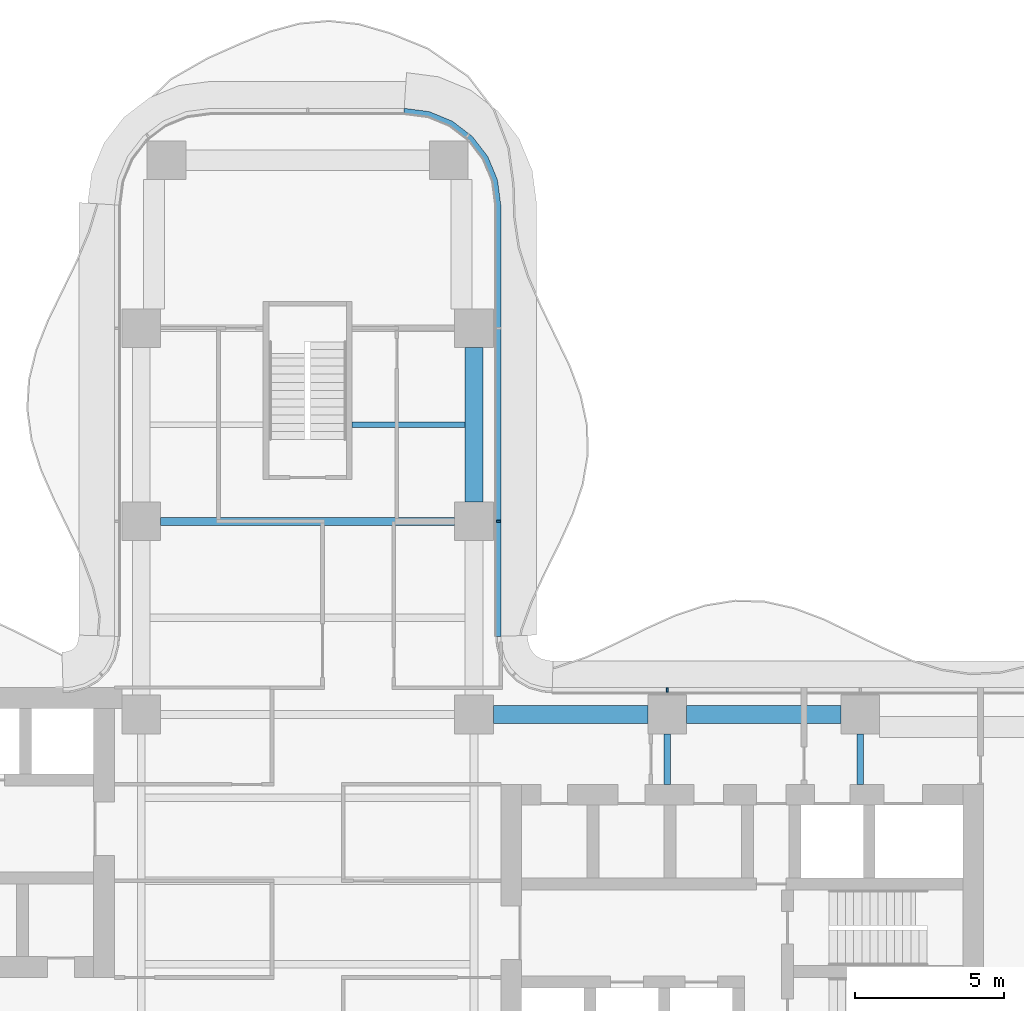
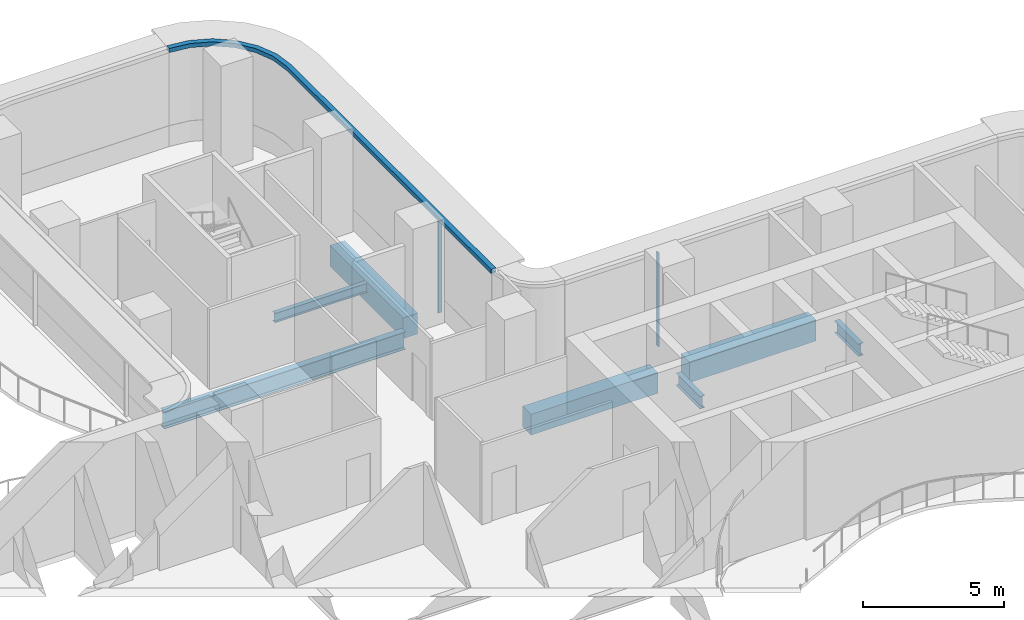
# One storey, part 10 of 21: 7 beams, 3 members, 2 elements without a shape of their own.
"""IFC4 building model written with IfcOpenShell, lengths in metres."""

from ifc_helpers import new_model, si_unit, direction, frame, origin, origin_2d, place, context, subcontext, project, spatial, polyline, rectangle, i_section, outline, extrude, source, transform, mapped, material, layer, layer_set, material_profile, profile_set, type_object, element, aggregate, save


model = new_model("IFC4")

# Units and contexts
model_context = context("Model", 3, precision=1e-05, world=origin(), true_north=direction((0.0, 1.0)))
body_context = subcontext(model_context, "Body", "Model", "MODEL_VIEW")
ifc_project = project(units=[si_unit("LENGTHUNIT", "METRE"), si_unit("AREAUNIT", "SQUARE_METRE"), si_unit("VOLUMEUNIT", "CUBIC_METRE"), si_unit("PLANEANGLEUNIT", "RADIAN"), si_unit("MASSUNIT", "GRAM", prefix="KILO")], contexts=[model_context])

# Site, building, storey
site_placement = place(None, origin())
site = spatial("IfcSite", under=ifc_project, at=site_placement, CompositionType="ELEMENT")
building_placement = place(site_placement, origin())
building = spatial("IfcBuilding", under=site, at=building_placement, Name="Trellis Farm Tower", CompositionType="ELEMENT")
storey_placement = place(building_placement, frame((0.0, 0.0, 106.5)))
storey = spatial("IfcBuildingStorey", under=building, at=storey_placement, Name="L22", CompositionType="ELEMENT", Elevation=106.5)

# Beams
ifc_material_1 = material(Name="Steel S355", Category="steel")
ifc_material_profile_1 = material_profile(ifc_material_1, i_section(OverallWidth=0.177978515625, OverallDepth=0.406494140625, WebThickness=0.0078125, FlangeThickness=0.0126953125, FilletRadius=0.01025390625, at=origin_2d()), Name="UB 406x178x60")
ifc_profile_set_1 = profile_set([ifc_material_profile_1], Name="Steel S355")
beam_type_1 = type_object("IfcBeamType", Name="UB 406x178x60 joist", PredefinedType="JOIST", material=ifc_profile_set_1)
shared_shape_1 = source(origin(), body_context, "Body", "SweptSolid", [
    extrude(i_section(OverallWidth=0.177978515625, OverallDepth=0.406494140625, WebThickness=0.0078125, FlangeThickness=0.0126953125, FilletRadius=0.01025390625, at=origin_2d()), origin(), (0.0, 0.0, 1.0), 3.800048828125),
])
beam_1_placement = place(storey_placement, frame((1.5, 15.35009765625, -0.453125), z_axis=(1.0, 0.0, 0.0), x_axis=(0.0, 1.0, 0.0)))
element("IfcBeam", 1, at=beam_1_placement, inside=storey, type_object=beam_type_1, Name="Floor beam", PredefinedType="JOIST", context=body_context, shape_type="MappedRepresentation", body=[
    mapped(shared_shape_1, transform((0.0, 0.0, 0.0))),
])
ifc_material_profile_2 = material_profile(ifc_material_1, i_section(OverallWidth=0.2666015625, OverallDepth=0.76220703125, WebThickness=0.014404296875, FlangeThickness=0.021484375, FilletRadius=0.0166015625, at=origin_2d()), Name="UB 762x267x173")
ifc_profile_set_2 = profile_set([ifc_material_profile_2], Name="Steel S355")
beam_type_2 = type_object("IfcBeamType", Name="UB 762x267x173", PredefinedType="BEAM", material=ifc_profile_set_2)
shared_shape_2 = source(origin(), body_context, "Body", "SweptSolid", [
    extrude(i_section(OverallWidth=0.2666015625, OverallDepth=0.76220703125, WebThickness=0.014404296875, FlangeThickness=0.021484375, FilletRadius=0.0166015625, at=origin_2d()), origin(), (0.0, 0.0, 1.0), 9.89990234375),
])
beam_2_placement = place(storey_placement, frame((-4.949951171875, 12.10009765625, -0.631103515625), z_axis=(1.0, 0.0, 0.0), x_axis=(0.0, 1.0, 0.0)))
element("IfcBeam", 2, at=beam_2_placement, inside=storey, type_object=beam_type_2, Name="Girder", PredefinedType="BEAM", context=body_context, shape_type="MappedRepresentation", body=[
    mapped(shared_shape_2, transform((0.0, 0.0, 0.0))),
])
ifc_material_profile_3 = material_profile(ifc_material_1, i_section(OverallWidth=0.209228515625, OverallDepth=0.533203125, WebThickness=0.010009765625, FlangeThickness=0.015625, FilletRadius=0.0126953125, at=origin_2d()), Name="UB 533x210x92")
ifc_profile_set_3 = profile_set([ifc_material_profile_3], Name="Steel S355")
beam_type_3 = type_object("IfcBeamType", Name="UB 533x210x92", PredefinedType="BEAM", material=ifc_profile_set_3)
shared_shape_3 = source(origin(), body_context, "Body", "SweptSolid", [
    extrude(i_section(OverallWidth=0.209228515625, OverallDepth=0.533203125, WebThickness=0.010009765625, FlangeThickness=0.015625, FilletRadius=0.0126953125, at=origin_2d()), origin(), (0.0, 0.0, 1.0), 1.699951171875),
])
for number, where, z_axis, x_axis, name in (
    (3, (12.10009765625, 3.25, -0.5166015625), (0.0, 1.0, 0.0), (-1.0, 0.0, 0.0), "Girder"),
    (4, (18.60009765625, 3.25, -0.5166015625), (0.0, 1.0, 0.0), (-1.0, 0.0, 0.0), "Girder"),
):
    element("IfcBeam", number, at=place(storey_placement, frame(where, z_axis=z_axis, x_axis=x_axis)), inside=storey, type_object=beam_type_3, Name=name, PredefinedType="BEAM", context=body_context, shape_type="MappedRepresentation", body=[
        mapped(shared_shape_3, transform((0.0, 0.0, 0.0))),
    ])
ifc_material_2 = material(Name="Concrete C60/75", Category="concrete")
ifc_material_profile_4 = material_profile(ifc_material_2, rectangle(XDim=0.60009765625, YDim=0.89990234375, at=origin_2d()), Name="RC spandrel beam 600x900 C60/75")
ifc_profile_set_4 = profile_set([ifc_material_profile_4], Name="Concrete C60/75")
beam_type_4 = type_object("IfcBeamType", Name="RC spandrel beam 600x900 C60/75", PredefinedType="SPANDREL", material=ifc_profile_set_4)
shared_shape_4 = source(origin(), body_context, "Body", "SweptSolid", [
    extrude(rectangle(XDim=0.60009765625, YDim=0.89990234375, at=origin_2d()), origin(), (0.0, 0.0, 1.0), 5.199951171875),
])
for number, where, z_axis, x_axis, name in (
    (5, (6.25, 5.60009765625, -0.699951171875), (1.0, 0.0, 0.0), (0.0, 1.0, 0.0), "Girder"),
    (6, (12.75, 5.60009765625, -0.699951171875), (1.0, 0.0, 0.0), (0.0, 1.0, 0.0), "Girder"),
    (7, (5.60009765625, 12.75, -0.699951171875), (0.0, 1.0, 0.0), (-1.0, 0.0, 0.0), "Girder"),
):
    element("IfcBeam", number, at=place(storey_placement, frame(where, z_axis=z_axis, x_axis=x_axis)), inside=storey, type_object=beam_type_4, Name=name, PredefinedType="SPANDREL", context=body_context, shape_type="MappedRepresentation", body=[
        mapped(shared_shape_4, transform((0.0, 0.0, 0.0))),
    ])

# Curtain wall, member
ifc_material_3 = material(Name="Aluminium and glass curtain wall", Category="aluminium")
ifc_layer_1 = layer(ifc_material_3, 0.18994140625)
ifc_layer_set_1 = layer_set([ifc_layer_1], Name="RIBBON CURTAIN WALL CW1")
curtain_wall_type = type_object("IfcCurtainWallType", Name="RIBBON CURTAIN WALL CW1", PredefinedType="NOTDEFINED", material=ifc_layer_set_1)
placement = place(storey_placement, origin())
curtain_wall_1 = element("IfcCurtainWall", 8, at=placement, inside=storey, type_object=curtain_wall_type, Name="CW1 008", PredefinedType="NOTDEFINED")
ifc_material_4 = material(Name="Aluminium extrusion 6063-T6", Category="aluminium")
ifc_material_profile_5 = material_profile(ifc_material_4, rectangle(XDim=0.06005859375, YDim=0.14990234375, at=origin_2d()), Name="MULLION 60x150")
ifc_profile_set_5 = profile_set([ifc_material_profile_5], Name="Aluminium extrusion 6063-T6")
member_type_1 = type_object("IfcMemberType", Name="CW1 MULLION 60x150", PredefinedType="MULLION", material=ifc_profile_set_5)
shared_shape_5 = source(origin(), body_context, "Body", "SweptSolid", [
    extrude(rectangle(XDim=0.06005859375, YDim=0.14990234375, at=origin_2d()), origin(), (0.0, 0.0, 1.0), 4.070068359375),
])
member_1_placement = place(storey_placement, frame((12.10009765625, 6.425048828125, 0.0), z_axis=(0.0, 0.0, 1.0), x_axis=(-1.0, 0.0, 0.0)))
member_1 = element("IfcMember", 9, at=member_1_placement, type_object=member_type_1, Name="MU1 008-02", PredefinedType="MULLION", context=body_context, shape_type="MappedRepresentation", body=[
    mapped(shared_shape_5, transform((0.0, 0.0, 0.0))),
])
aggregate(curtain_wall_1, [member_1])

# Curtain wall, members
curtain_wall_2 = element("IfcCurtainWall", 10, at=placement, inside=storey, type_object=curtain_wall_type, Name="CW1 009", PredefinedType="NOTDEFINED")
member_2_placement = place(storey_placement, frame((6.425048828125, 12.10009765625, 0.0), z_axis=(0.0, 0.0, 1.0), x_axis=(0.0, 1.0, 0.0)))
member_2 = element("IfcMember", 11, at=member_2_placement, type_object=member_type_1, Name="MU1 009-01", PredefinedType="MULLION", context=body_context, shape_type="MappedRepresentation", body=[
    mapped(shared_shape_5, transform((0.0, 0.0, 0.0))),
])
ifc_layer_2 = layer(ifc_material_4, 0.199951171875)
ifc_layer_set_2 = layer_set([ifc_layer_2], Name="Aluminium extrusion 6063-T6")
member_type_2 = type_object("IfcMemberType", Name="CW1 TRANSOM 200x180", PredefinedType="USERDEFINED", material=ifc_layer_set_2)
shared_shape_6 = source(origin(), body_context, "Body", "SweptSolid", [
    extrude(outline(polyline([(6.5, 8.2314453125), (6.5, 22.75), (6.38916015625, 23.591064453125), (6.064697265625, 24.375), (5.548095703125, 25.048095703125), (4.875, 25.564697265625), (4.091064453125, 25.88916015625), (3.25, 26.0), (3.23681640625, 25.800048828125), (4.0390625, 25.6943359375), (4.774169921875, 25.389892578125), (5.405517578125, 24.905517578125), (5.889892578125, 24.274169921875), (6.1943359375, 23.5390625), (6.300048828125, 22.73681640625), (6.300048828125, 8.224853515625), (6.5, 8.2314453125)])), origin(), (0.0, 0.0, 1.0), 0.179931640625),
])
member_3_placement = place(storey_placement, frame((0.0, 0.0, 4.070068359375)))
member_3 = element("IfcMember", 12, at=member_3_placement, type_object=member_type_2, Name="TR1 009", ObjectType="TRANSOM", PredefinedType="USERDEFINED", context=body_context, shape_type="MappedRepresentation", body=[
    mapped(shared_shape_6, transform((0.0, 0.0, 0.0))),
])
aggregate(curtain_wall_2, [member_2, member_3])

save(model, "model.ifc")
